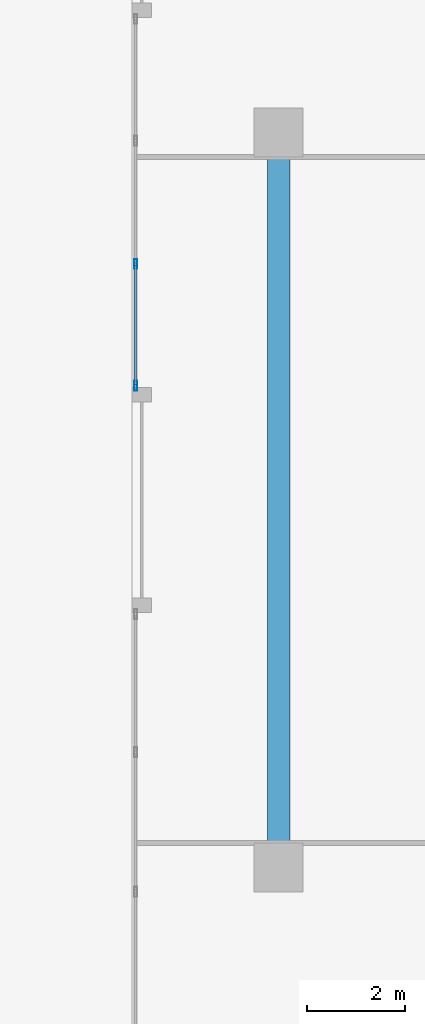
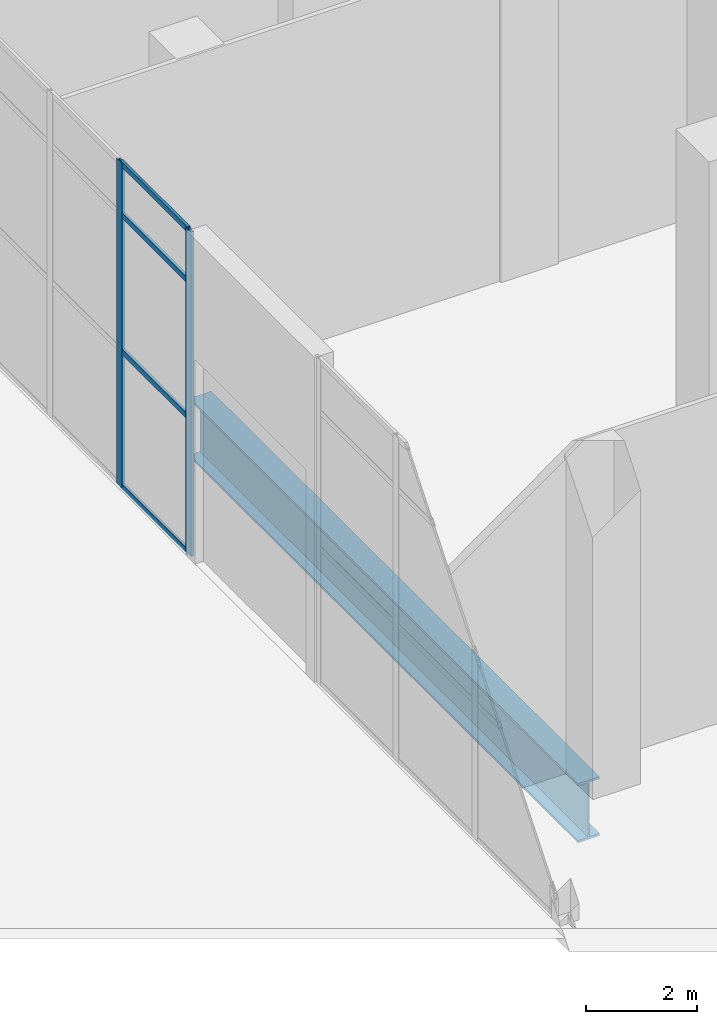
# One storey, part 4 of 52: 6 members, 1 beam, 1 element without a shape of its own.
"""IFC4 building model written with IfcOpenShell, lengths in metres."""

from ifc_helpers import new_model, si_unit, direction, frame, origin, origin_2d, place, context, subcontext, project, spatial, hollow_rectangle, i_section, extrude, source, transform, mapped, material, material_profile, profile_set, type_object, element, aggregate, save


model = new_model("IFC4")

# Units and contexts
model_context = context("Model", 3, precision=1e-05, world=origin(), true_north=direction((0.0, 1.0)))
body_context = subcontext(model_context, "Body", "Model", "MODEL_VIEW")
ifc_project = project(units=[si_unit("LENGTHUNIT", "METRE"), si_unit("AREAUNIT", "SQUARE_METRE"), si_unit("VOLUMEUNIT", "CUBIC_METRE"), si_unit("PLANEANGLEUNIT", "RADIAN"), si_unit("MASSUNIT", "GRAM", prefix="KILO")], contexts=[model_context])

# Site, building, storey
site_placement = place(None, origin())
site = spatial("IfcSite", under=ifc_project, at=site_placement, CompositionType="ELEMENT")
building_placement = place(site_placement, origin())
building = spatial("IfcBuilding", under=site, at=building_placement, Name="Khomas Fold Tower", CompositionType="ELEMENT")
storey_placement = place(building_placement, origin())
storey = spatial("IfcBuildingStorey", under=building, at=storey_placement, Name="L00", CompositionType="ELEMENT", Elevation=0.0)

# Beam
ifc_material_1 = material(Name="Steel S460M", Category="steel")
ifc_material_profile_1 = material_profile(ifc_material_1, i_section(OverallWidth=0.449951171875, OverallDepth=1.300048828125, WebThickness=0.02490234375, FlangeThickness=0.050048828125, at=origin_2d()), Name="PG 1300x450")
ifc_profile_set_1 = profile_set([ifc_material_profile_1], Name="Steel S460M")
beam_type = type_object("IfcBeamType", Name="PG 1300x450 beam TG2", PredefinedType="BEAM", material=ifc_profile_set_1)
shared_shape_1 = source(origin(), body_context, "Body", "SweptSolid", [
    extrude(i_section(OverallWidth=0.449951171875, OverallDepth=1.300048828125, WebThickness=0.02490234375, FlangeThickness=0.050048828125, at=origin_2d()), origin(), (0.0, 0.0, 1.0), 14.0),
])
beam_placement = place(storey_placement, frame((-6.0, 20.0, -1.0), z_axis=(0.0, 1.0, 0.0), x_axis=(-1.0, 0.0, 0.0)))
element("IfcBeam", 1, at=beam_placement, inside=storey, type_object=beam_type, Name="TG2", PredefinedType="BEAM", context=body_context, shape_type="MappedRepresentation", body=[
    mapped(shared_shape_1, transform((0.0, 0.0, 0.0))),
])

# Curtain wall, members
ifc_material_2 = material(Name="Aluminium framed double glazing", Category="aluminium")
curtain_wall_type = type_object("IfcCurtainWallType", Name="Shopfront glazing PD-CW", PredefinedType="NOTDEFINED", material=ifc_material_2)
curtain_wall_placement = place(storey_placement, origin())
curtain_wall = element("IfcCurtainWall", 2, at=curtain_wall_placement, inside=storey, type_object=curtain_wall_type, Name="Podium shopfront run", PredefinedType="NOTDEFINED")
ifc_material_3 = material(Name="Aluminium", Category="aluminium")
ifc_material_profile_2 = material_profile(ifc_material_3, hollow_rectangle(XDim=0.06005859375, YDim=0.199951171875, WallThickness=0.00390625, at=origin_2d()), Name="Shopfront glazing mullion PD-CW-M")
ifc_profile_set_2 = profile_set([ifc_material_profile_2], Name="Aluminium")
member_type_1 = type_object("IfcMemberType", Name="Shopfront glazing mullion PD-CW-M", PredefinedType="MULLION", material=ifc_profile_set_2)
shared_shape_2 = source(origin(), body_context, "Body", "SweptSolid", [
    extrude(hollow_rectangle(XDim=0.06005859375, YDim=0.199951171875, WallThickness=0.00390625, at=origin_2d()), origin(), (0.0, 0.0, 1.0), 7.14990234375),
])
member_1_placement = place(storey_placement, frame((-8.919921875, 31.816650390625, 0.0), z_axis=(0.0, 0.0, 1.0), x_axis=(1.0, 0.0, 0.0)))
member_1 = element("IfcMember", 3, at=member_1_placement, type_object=member_type_1, Name="PD-CW mullion 3", PredefinedType="MULLION", context=body_context, shape_type="MappedRepresentation", body=[
    mapped(shared_shape_2, transform((0.0, 0.0, 0.0))),
])
member_2_placement = place(storey_placement, frame((-8.919921875, 29.330078125, 0.0), z_axis=(0.0, 0.0, 1.0), x_axis=(1.0, 0.0, 0.0)))
member_2 = element("IfcMember", 4, at=member_2_placement, type_object=member_type_1, Name="PD-CW mullion 4", PredefinedType="MULLION", context=body_context, shape_type="MappedRepresentation", body=[
    mapped(shared_shape_2, transform((0.0, 0.0, 0.0))),
])
ifc_material_4 = material(Name="Aluminium", Category="aluminium")
ifc_material_profile_3 = material_profile(ifc_material_4, hollow_rectangle(XDim=0.06005859375, YDim=0.1201171875, WallThickness=0.00390625, at=origin_2d()), Name="Shopfront glazing transom PD-CW-T")
ifc_profile_set_3 = profile_set([ifc_material_profile_3], Name="Aluminium")
member_type_2 = type_object("IfcMemberType", Name="Shopfront glazing transom PD-CW-T", PredefinedType="USERDEFINED", material=ifc_profile_set_3)
shared_shape_3 = source(origin(), body_context, "Body", "SweptSolid", [
    extrude(hollow_rectangle(XDim=0.06005859375, YDim=0.1201171875, WallThickness=0.00390625, at=origin_2d()), origin(), (0.0, 0.0, 1.0), 2.426513671875),
])
member_3_placement = place(storey_placement, frame((-8.919921875, 31.78662109375, 0.030029296875), z_axis=(0.0, -1.0, 0.0), x_axis=(1.0, 0.0, 0.0)))
member_3 = element("IfcMember", 5, at=member_3_placement, type_object=member_type_2, Name="PD-CW transom 3.1", ObjectType="TRANSOM", PredefinedType="USERDEFINED", context=body_context, shape_type="MappedRepresentation", body=[
    mapped(shared_shape_3, transform((0.0, 0.0, 0.0))),
])
member_4_placement = place(storey_placement, frame((-8.919921875, 31.78662109375, 3.0), z_axis=(0.0, -1.0, 0.0), x_axis=(1.0, 0.0, 0.0)))
member_4 = element("IfcMember", 6, at=member_4_placement, type_object=member_type_2, Name="PD-CW transom 3.2", ObjectType="TRANSOM", PredefinedType="USERDEFINED", context=body_context, shape_type="MappedRepresentation", body=[
    mapped(shared_shape_3, transform((0.0, 0.0, 0.0))),
])
member_5_placement = place(storey_placement, frame((-8.919921875, 31.78662109375, 6.0), z_axis=(0.0, -1.0, 0.0), x_axis=(1.0, 0.0, 0.0)))
member_5 = element("IfcMember", 7, at=member_5_placement, type_object=member_type_2, Name="PD-CW transom 3.3", ObjectType="TRANSOM", PredefinedType="USERDEFINED", context=body_context, shape_type="MappedRepresentation", body=[
    mapped(shared_shape_3, transform((0.0, 0.0, 0.0))),
])
member_6_placement = place(storey_placement, frame((-8.919921875, 31.78662109375, 7.1201171875), z_axis=(0.0, -1.0, 0.0), x_axis=(1.0, 0.0, 0.0)))
member_6 = element("IfcMember", 8, at=member_6_placement, type_object=member_type_2, Name="PD-CW transom 3.4", ObjectType="TRANSOM", PredefinedType="USERDEFINED", context=body_context, shape_type="MappedRepresentation", body=[
    mapped(shared_shape_3, transform((0.0, 0.0, 0.0))),
])
aggregate(curtain_wall, [member_1, member_2, member_3, member_4, member_5, member_6])

save(model, "model.ifc")
